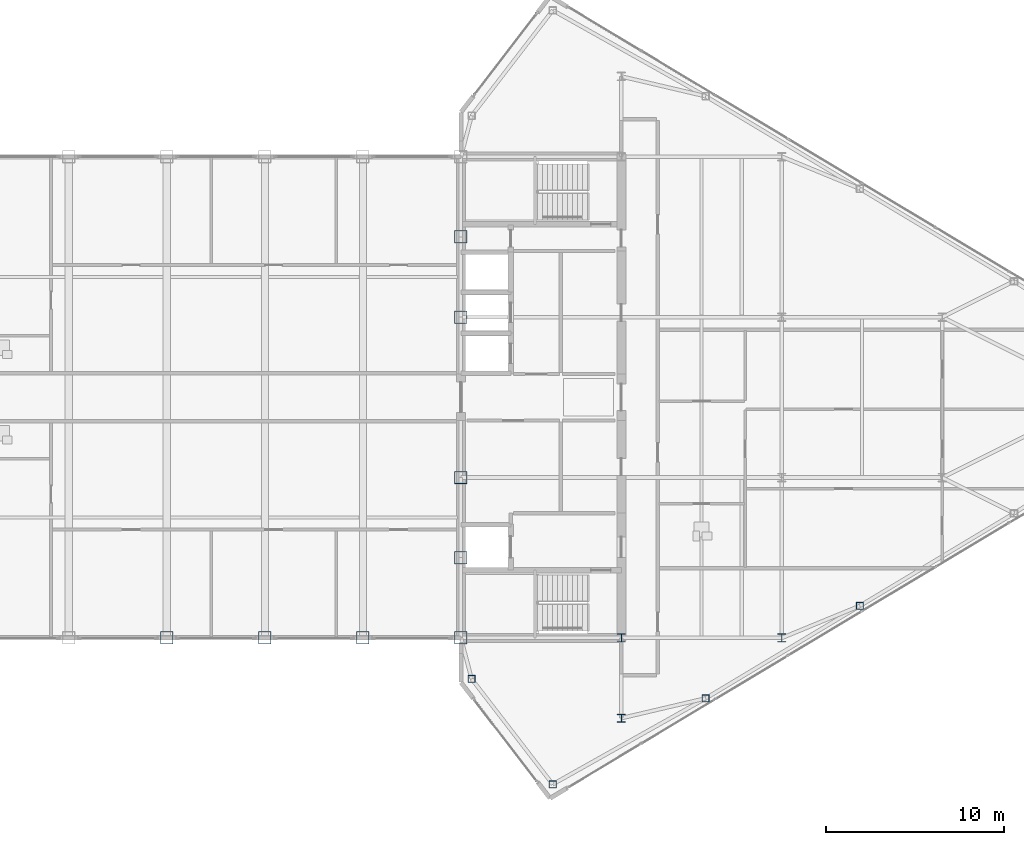
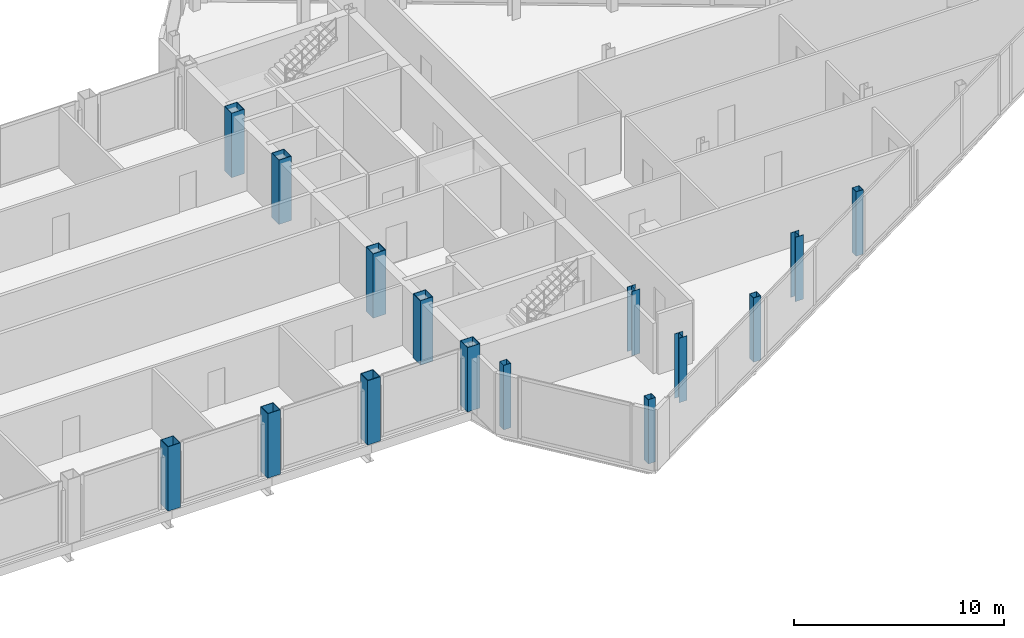
# One storey, part 4 of 28: 15 columns.
"""IFC4 building model written with IfcOpenShell, lengths in metres."""

from ifc_helpers import new_model, si_unit, direction, frame, origin, origin_2d, place, context, subcontext, project, spatial, hollow_rectangle, i_section, extrude, source, transform, mapped, material, material_profile, profile_set, type_object, type_shapes, element, save


model = new_model("IFC4")

# Units and contexts
model_context = context("Model", 3, precision=1e-05, world=origin(), true_north=direction((0.0, 1.0)))
body_context = subcontext(model_context, "Body", "Model", "MODEL_VIEW")
ifc_project = project(units=[si_unit("LENGTHUNIT", "METRE"), si_unit("AREAUNIT", "SQUARE_METRE"), si_unit("VOLUMEUNIT", "CUBIC_METRE"), si_unit("PLANEANGLEUNIT", "RADIAN"), si_unit("MASSUNIT", "GRAM", prefix="KILO")], contexts=[model_context])

# Site, building, storey
site_placement = place(None, origin())
site = spatial("IfcSite", under=ifc_project, at=site_placement, CompositionType="ELEMENT")
building_placement = place(site_placement, origin())
building = spatial("IfcBuilding", under=site, at=building_placement, Name="Seokmaru Belvedere", CompositionType="ELEMENT")
storey_placement = place(building_placement, frame((0.0, 0.0, 261.89990234375)))
storey = spatial("IfcBuildingStorey", under=building, at=storey_placement, Name="L69", CompositionType="ELEMENT", Elevation=261.89990234375)

# Columns
ifc_material = material(Name="Steel SM355 (355 MPa)", Category="steel")
ifc_material_profile_1 = material_profile(ifc_material, hollow_rectangle(XDim=0.699951171875, YDim=0.699951171875, WallThickness=0.030029296875, at=origin_2d()), Name="BOX-700x700x30")
ifc_profile_set_1 = profile_set([ifc_material_profile_1], Name="Steel SM355 (355 MPa)")
column_type_1 = type_object("IfcColumnType", Name="Upper Spine Column BOX-700", PredefinedType="COLUMN", material=ifc_profile_set_1)
shared_shape_1 = source(origin(), body_context, "Body", "SweptSolid", [
    extrude(hollow_rectangle(XDim=0.699951171875, YDim=0.699951171875, WallThickness=0.030029296875, at=origin_2d()), origin(), (0.0, 0.0, 1.0), 3.75),
])
type_shapes(column_type_1, [shared_shape_1])
for number, where, z_axis, x_axis, name in (
    (1, (27.5, -13.5, 0.0), (0.0, 0.0, 1.0), (1.0, 0.0, 0.0), "L69 Column ES1"),
    (2, (27.5, -9.0, 0.0), (0.0, 0.0, 1.0), (1.0, 0.0, 0.0), "L69 Column ES2"),
    (3, (27.5, -4.5, 0.0), (0.0, 0.0, 1.0), (1.0, 0.0, 0.0), "L69 Column ES3"),
    (4, (27.5, 4.5, 0.0), (0.0, 0.0, 1.0), (1.0, 0.0, 0.0), "L69 Column ES4"),
    (5, (27.5, 9.0, 0.0), (0.0, 0.0, 1.0), (1.0, 0.0, 0.0), "L69 Column ES5"),
    (6, (11.0, -13.5, 0.0), (0.0, 0.0, 1.0), (1.0, 0.0, 0.0), "L69 Column BRS_7"),
    (7, (16.5, -13.5, 0.0), (0.0, 0.0, 1.0), (1.0, 0.0, 0.0), "L69 Column BRS_8"),
    (8, (22.0, -13.5, 0.0), (0.0, 0.0, 1.0), (1.0, 0.0, 0.0), "L69 Column BRS_9"),
):
    element("IfcColumn", number, at=place(storey_placement, frame(where, z_axis=z_axis, x_axis=x_axis)), inside=storey, type_object=column_type_1, Name=name, PredefinedType="COLUMN", context=body_context, shape_type="MappedRepresentation", body=[
        mapped(shared_shape_1, transform((0.0, 0.0, 0.0), scale=1.0)),
    ])
ifc_material_profile_2 = material_profile(ifc_material, i_section(OverallWidth=0.449951171875, OverallDepth=0.449951171875, WebThickness=0.01611328125, FlangeThickness=0.02490234375, at=origin_2d()), Name="H-450x450x16x25")
ifc_profile_set_2 = profile_set([ifc_material_profile_2], Name="Steel SM355 (355 MPa)")
column_type_2 = type_object("IfcColumnType", Name="Sky-Gate Column H-450", PredefinedType="COLUMN", material=ifc_profile_set_2)
shared_shape_2 = source(origin(), body_context, "Body", "SweptSolid", [
    extrude(i_section(OverallWidth=0.449951171875, OverallDepth=0.449951171875, WebThickness=0.01611328125, FlangeThickness=0.02490234375, at=origin_2d()), origin(), (0.0, 0.0, 1.0), 3.75),
])
type_shapes(column_type_2, [shared_shape_2])
for number, where, z_axis, x_axis, name in (
    (9, (36.5, -18.0, 0.0), (0.0, 0.0, 1.0), (1.0, 0.0, 0.0), "L69 Column EC1"),
    (10, (36.5, -13.5, 0.0), (0.0, 0.0, 1.0), (1.0, 0.0, 0.0), "L69 Column EC2"),
    (11, (45.5, -13.5, 0.0), (0.0, 0.0, 1.0), (1.0, 0.0, 0.0), "L69 Column EG5_1"),
):
    element("IfcColumn", number, at=place(storey_placement, frame(where, z_axis=z_axis, x_axis=x_axis)), inside=storey, type_object=column_type_2, Name=name, PredefinedType="COLUMN", context=body_context, shape_type="MappedRepresentation", body=[
        mapped(shared_shape_2, transform((0.0, 0.0, 0.0), scale=1.0)),
    ])
ifc_material_profile_3 = material_profile(ifc_material, hollow_rectangle(XDim=0.39990234375, YDim=0.39990234375, WallThickness=0.01611328125, at=origin_2d()), Name="HSS-400x400x16")
ifc_profile_set_3 = profile_set([ifc_material_profile_3], Name="Steel SM355 (355 MPa)")
column_type_3 = type_object("IfcColumnType", Name="Perimeter Facet Column HSS-400", PredefinedType="COLUMN", material=ifc_profile_set_3)
shared_shape_3 = source(origin(), body_context, "Body", "SweptSolid", [
    extrude(hollow_rectangle(XDim=0.39990234375, YDim=0.39990234375, WallThickness=0.01611328125, at=origin_2d()), origin(), (0.0, 0.0, 1.0), 3.75),
])
type_shapes(column_type_3, [shared_shape_3])
for number, where, z_axis, x_axis, name in (
    (12, (32.649658203125, -21.71044921875, 0.0), (0.0, 0.0, 1.0), (1.0, 0.0, 0.0), "L69 Column EF1"),
    (13, (28.10009765625, -15.7958984375, 0.0), (0.0, 0.0, 1.0), (1.0, 0.0, 0.0), "L69 Column EF6"),
    (14, (41.229736328125, -16.888916015625, 0.0), (0.0, 0.0, 1.0), (1.0, 0.0, 0.0), "L69 Column EFLK_S1"),
    (15, (49.8798828125, -11.698974609375, 0.0), (0.0, 0.0, 1.0), (1.0, 0.0, 0.0), "L69 Column EFLK_S2"),
):
    element("IfcColumn", number, at=place(storey_placement, frame(where, z_axis=z_axis, x_axis=x_axis)), inside=storey, type_object=column_type_3, Name=name, PredefinedType="COLUMN", context=body_context, shape_type="MappedRepresentation", body=[
        mapped(shared_shape_3, transform((0.0, 0.0, 0.0), scale=1.0)),
    ])

save(model, "model.ifc")
